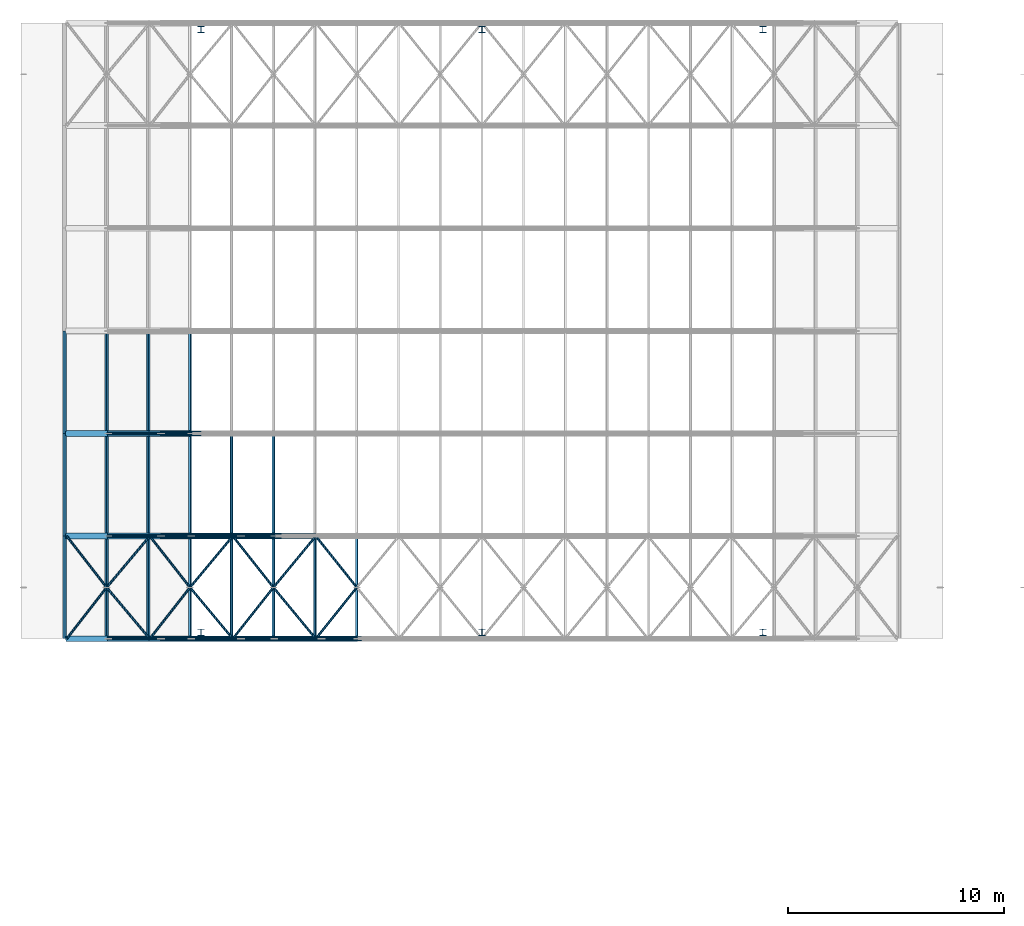
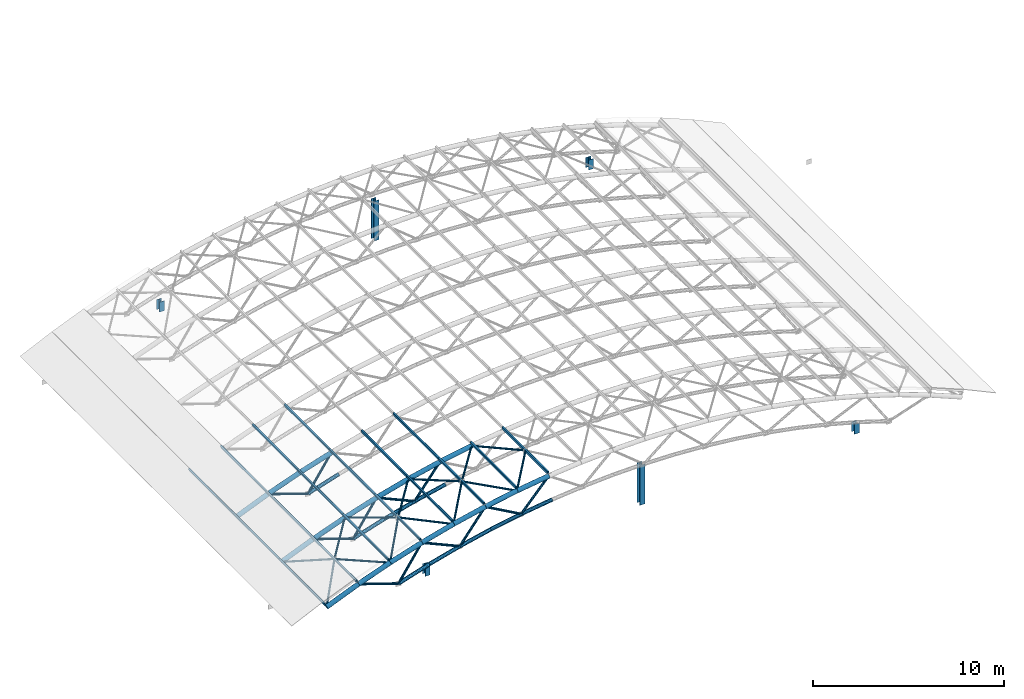
# One storey, part 1 of 22: 69 members, 6 columns.
"""IFC4 building model written with IfcOpenShell, lengths in metres."""

from ifc_helpers import new_model, si_unit, direction, frame, origin, origin_2d, place, context, subcontext, project, spatial, hollow_rectangle, hollow_circle, i_section, extrude, material, material_profile, profile_set, type_object, element, save


model = new_model("IFC4")

# Units and contexts
model_context = context("Model", 3, precision=1e-05, world=origin(), true_north=direction((0.0, 1.0)))
body_context = subcontext(model_context, "Body", "Model", "MODEL_VIEW")
ifc_project = project(units=[si_unit("LENGTHUNIT", "METRE"), si_unit("AREAUNIT", "SQUARE_METRE"), si_unit("VOLUMEUNIT", "CUBIC_METRE"), si_unit("PLANEANGLEUNIT", "RADIAN"), si_unit("MASSUNIT", "GRAM", prefix="KILO")], contexts=[model_context])

# Site, building, storey
site_placement = place(None, origin())
site = spatial("IfcSite", under=ifc_project, at=site_placement, CompositionType="ELEMENT")
building_placement = place(site_placement, origin())
building = spatial("IfcBuilding", under=site, at=building_placement, Name="Elbe Cascade School", CompositionType="ELEMENT")
storey_placement = place(building_placement, frame((0.0, 0.0, 18.89990234375)))
storey = spatial("IfcBuildingStorey", under=building, at=storey_placement, Name="R05", CompositionType="ELEMENT", Elevation=18.89990234375)

# Columns
ifc_material_1 = material(Name="Steel S355J2", Category="steel")
ifc_material_profile_1 = material_profile(ifc_material_1, i_section(OverallWidth=0.300048828125, OverallDepth=0.300048828125, WebThickness=0.010986328125, FlangeThickness=0.01904296875, FilletRadius=0.027099609375, at=origin_2d()), Name="HEB 300")
ifc_profile_set_1 = profile_set([ifc_material_profile_1], Name="Steel S355J2")
column_type = type_object("IfcColumnType", Name="Hall gable post HEB 300", PredefinedType="COLUMN", material=ifc_profile_set_1)
column_1_placement = place(storey_placement, frame((21.0, 41.300048828125, 0.0), z_axis=(0.0, 0.0, 1.0), x_axis=(1.0, 0.0, 0.0)))
element("IfcColumn", 1, at=column_1_placement, inside=storey, type_object=column_type, Name="Gable post S21", PredefinedType="COLUMN", context=body_context, shape_type="SweptSolid", body=[
    extrude(i_section(OverallWidth=0.300048828125, OverallDepth=0.300048828125, WebThickness=0.010986328125, FlangeThickness=0.01904296875, FilletRadius=0.027099609375, at=origin_2d()), origin(), (0.0, 0.0, 1.0), 0.63525390625),
])
column_2_placement = place(storey_placement, frame((34.0, 41.300048828125, 0.0), z_axis=(0.0, 0.0, 1.0), x_axis=(1.0, 0.0, 0.0)))
element("IfcColumn", 2, at=column_2_placement, inside=storey, type_object=column_type, Name="Gable post S34", PredefinedType="COLUMN", context=body_context, shape_type="SweptSolid", body=[
    extrude(i_section(OverallWidth=0.300048828125, OverallDepth=0.300048828125, WebThickness=0.010986328125, FlangeThickness=0.01904296875, FilletRadius=0.027099609375, at=origin_2d()), origin(), (0.0, 0.0, 1.0), 2.549560546875),
])
for number, where, z_axis, x_axis, name in (
    (3, (47.0, 41.300048828125, 0.0), (0.0, 0.0, 1.0), (1.0, 0.0, 0.0), "Gable post S47"),
    (4, (21.0, 69.199951171875, 0.0), (0.0, 0.0, 1.0), (1.0, 0.0, 0.0), "Gable post N21"),
):
    element("IfcColumn", number, at=place(storey_placement, frame(where, z_axis=z_axis, x_axis=x_axis)), inside=storey, type_object=column_type, Name=name, PredefinedType="COLUMN", context=body_context, shape_type="SweptSolid", body=[
        extrude(i_section(OverallWidth=0.300048828125, OverallDepth=0.300048828125, WebThickness=0.010986328125, FlangeThickness=0.01904296875, FilletRadius=0.027099609375, at=origin_2d()), origin(), (0.0, 0.0, 1.0), 0.63525390625),
    ])
column_3_placement = place(storey_placement, frame((34.0, 69.199951171875, 0.0), z_axis=(0.0, 0.0, 1.0), x_axis=(1.0, 0.0, 0.0)))
element("IfcColumn", 5, at=column_3_placement, inside=storey, type_object=column_type, Name="Gable post N34", PredefinedType="COLUMN", context=body_context, shape_type="SweptSolid", body=[
    extrude(i_section(OverallWidth=0.300048828125, OverallDepth=0.300048828125, WebThickness=0.010986328125, FlangeThickness=0.01904296875, FilletRadius=0.027099609375, at=origin_2d()), origin(), (0.0, 0.0, 1.0), 2.549560546875),
])
column_4_placement = place(storey_placement, frame((47.0, 69.199951171875, 0.0), z_axis=(0.0, 0.0, 1.0), x_axis=(1.0, 0.0, 0.0)))
element("IfcColumn", 6, at=column_4_placement, inside=storey, type_object=column_type, Name="Gable post N47", PredefinedType="COLUMN", context=body_context, shape_type="SweptSolid", body=[
    extrude(i_section(OverallWidth=0.300048828125, OverallDepth=0.300048828125, WebThickness=0.010986328125, FlangeThickness=0.01904296875, FilletRadius=0.027099609375, at=origin_2d()), origin(), (0.0, 0.0, 1.0), 0.63525390625),
])

# Members
ifc_material_2 = material(Name="Steel S355J2H", Category="steel")
ifc_material_profile_2 = material_profile(ifc_material_2, hollow_circle(Radius=0.109619140625, WallThickness=0.012451171875, at=origin_2d()), Name="CHS 219.1x12.5")
ifc_profile_set_2 = profile_set([ifc_material_profile_2], Name="Steel S355J2H")
member_type_1 = type_object("IfcMemberType", Name="Hall rib bottom chord CHS 219.1x12.5", PredefinedType="CHORD", material=ifc_profile_set_2)
member_1_placement = place(storey_placement, frame((19.142822265625, 41.0, 0.240966796875), z_axis=(0.953554243511, 0.0, 0.301221354957), x_axis=(0.0, 1.0, 0.0)))
element("IfcMember", 7, at=member_1_placement, inside=storey, type_object=member_type_1, Name="Hall rib bottom chord CHS 219.1x12.5 M3", PredefinedType="CHORD", context=body_context, shape_type="SweptSolid", body=[
    extrude(hollow_circle(Radius=0.109619140625, WallThickness=0.012451171875, at=origin_2d()), origin(), (0.0, 0.0, 1.0), 1.94775390625),
])
member_2_placement = place(storey_placement, frame((21.0, 41.0, 0.82763671875), z_axis=(0.965329694666, 0.0, 0.26103367713), x_axis=(0.0, 1.0, 0.0)))
element("IfcMember", 8, at=member_2_placement, inside=storey, type_object=member_type_1, Name="Hall rib bottom chord CHS 219.1x12.5 M3", PredefinedType="CHORD", context=body_context, shape_type="SweptSolid", body=[
    extrude(hollow_circle(Radius=0.109619140625, WallThickness=0.012451171875, at=origin_2d()), origin(), (0.0, 0.0, 1.0), 1.923828125),
])
member_3_placement = place(storey_placement, frame((22.857177734375, 41.0, 1.329833984375), z_axis=(0.975295060536, 0.0, 0.220906190259), x_axis=(0.0, 1.0, 0.0)))
element("IfcMember", 9, at=member_3_placement, inside=storey, type_object=member_type_1, Name="Hall rib bottom chord CHS 219.1x12.5 M3", PredefinedType="CHORD", context=body_context, shape_type="SweptSolid", body=[
    extrude(hollow_circle(Radius=0.109619140625, WallThickness=0.012451171875, at=origin_2d()), origin(), (0.0, 0.0, 1.0), 1.904296875),
])
member_4_placement = place(storey_placement, frame((24.71435546875, 41.0, 1.75048828125), z_axis=(0.9835518543, 0.0, 0.180625994539), x_axis=(0.0, 1.0, 0.0)))
element("IfcMember", 10, at=member_4_placement, inside=storey, type_object=member_type_1, Name="Hall rib bottom chord CHS 219.1x12.5 M3", PredefinedType="CHORD", context=body_context, shape_type="SweptSolid", body=[
    extrude(hollow_circle(Radius=0.109619140625, WallThickness=0.012451171875, at=origin_2d()), origin(), (0.0, 0.0, 1.0), 1.88818359375),
])
member_5_placement = place(storey_placement, frame((26.571533203125, 41.0, 2.091552734375), z_axis=(0.990068894629, 0.0, 0.140583014225), x_axis=(0.0, 1.0, 0.0)))
element("IfcMember", 11, at=member_5_placement, inside=storey, type_object=member_type_1, Name="Hall rib bottom chord CHS 219.1x12.5 M3", PredefinedType="CHORD", context=body_context, shape_type="SweptSolid", body=[
    extrude(hollow_circle(Radius=0.109619140625, WallThickness=0.012451171875, at=origin_2d()), origin(), (0.0, 0.0, 1.0), 1.87548828125),
])
member_6_placement = place(storey_placement, frame((19.142822265625, 45.75, 0.240966796875), z_axis=(0.953554243511, 0.0, 0.301221354957), x_axis=(0.0, 1.0, 0.0)))
element("IfcMember", 12, at=member_6_placement, inside=storey, type_object=member_type_1, Name="Hall rib bottom chord CHS 219.1x12.5 M3", PredefinedType="CHORD", context=body_context, shape_type="SweptSolid", body=[
    extrude(hollow_circle(Radius=0.109619140625, WallThickness=0.012451171875, at=origin_2d()), origin(), (0.0, 0.0, 1.0), 1.94775390625),
])
member_7_placement = place(storey_placement, frame((21.0, 45.75, 0.82763671875), z_axis=(0.965329694666, 0.0, 0.26103367713), x_axis=(0.0, 1.0, 0.0)))
element("IfcMember", 13, at=member_7_placement, inside=storey, type_object=member_type_1, Name="Hall rib bottom chord CHS 219.1x12.5 M3", PredefinedType="CHORD", context=body_context, shape_type="SweptSolid", body=[
    extrude(hollow_circle(Radius=0.109619140625, WallThickness=0.012451171875, at=origin_2d()), origin(), (0.0, 0.0, 1.0), 1.923828125),
])
member_8_placement = place(storey_placement, frame((22.857177734375, 45.75, 1.329833984375), z_axis=(0.975295060536, 0.0, 0.220906190259), x_axis=(0.0, 1.0, 0.0)))
element("IfcMember", 14, at=member_8_placement, inside=storey, type_object=member_type_1, Name="Hall rib bottom chord CHS 219.1x12.5 M3", PredefinedType="CHORD", context=body_context, shape_type="SweptSolid", body=[
    extrude(hollow_circle(Radius=0.109619140625, WallThickness=0.012451171875, at=origin_2d()), origin(), (0.0, 0.0, 1.0), 1.904296875),
])
member_9_placement = place(storey_placement, frame((19.142822265625, 50.5, 0.240966796875), z_axis=(0.953554243511, 0.0, 0.301221354957), x_axis=(0.0, 1.0, 0.0)))
element("IfcMember", 15, at=member_9_placement, inside=storey, type_object=member_type_1, Name="Hall rib bottom chord CHS 219.1x12.5 M3", PredefinedType="CHORD", context=body_context, shape_type="SweptSolid", body=[
    extrude(hollow_circle(Radius=0.109619140625, WallThickness=0.012451171875, at=origin_2d()), origin(), (0.0, 0.0, 1.0), 1.94775390625),
])
ifc_material_3 = material(Name="Steel S355J2H", Category="steel")
ifc_material_profile_3 = material_profile(ifc_material_3, hollow_circle(Radius=0.136474609375, WallThickness=0.012451171875, at=origin_2d()), Name="CHS 273x12.5")
ifc_profile_set_3 = profile_set([ifc_material_profile_3], Name="Steel S355J2H")
member_type_2 = type_object("IfcMemberType", Name="Hall rib top chord CHS 273x12.5", PredefinedType="CHORD", material=ifc_profile_set_3)
member_10_placement = place(storey_placement, frame((14.7861328125, 41.0, 0.26513671875), z_axis=(0.924371303733, 0.0, 0.381494027259), x_axis=(0.0, 1.0, 0.0)))
element("IfcMember", 16, at=member_10_placement, inside=storey, type_object=member_type_2, Name="Hall rib top chord CHS 273x12.5 M2", PredefinedType="CHORD", context=body_context, shape_type="SweptSolid", body=[
    extrude(hollow_circle(Radius=0.136474609375, WallThickness=0.012451171875, at=origin_2d()), origin(), (0.0, 0.0, 1.0), 2.07861328125),
])
member_11_placement = place(storey_placement, frame((16.70751953125, 41.0, 1.05810546875), z_axis=(0.939901472249, 0.0, 0.341445782612), x_axis=(0.0, 1.0, 0.0)))
element("IfcMember", 17, at=member_11_placement, inside=storey, type_object=member_type_2, Name="Hall rib top chord CHS 273x12.5 M2", PredefinedType="CHORD", context=body_context, shape_type="SweptSolid", body=[
    extrude(hollow_circle(Radius=0.136474609375, WallThickness=0.012451171875, at=origin_2d()), origin(), (0.0, 0.0, 1.0), 2.044189453125),
])
member_12_placement = place(storey_placement, frame((18.62890625, 41.0, 1.756103515625), z_axis=(0.953557025061, 0.0, 0.301212549467), x_axis=(0.0, 1.0, 0.0)))
element("IfcMember", 18, at=member_12_placement, inside=storey, type_object=member_type_2, Name="Hall rib top chord CHS 273x12.5 M2", PredefinedType="CHORD", context=body_context, shape_type="SweptSolid", body=[
    extrude(hollow_circle(Radius=0.136474609375, WallThickness=0.012451171875, at=origin_2d()), origin(), (0.0, 0.0, 1.0), 2.014892578125),
])
member_13_placement = place(storey_placement, frame((20.55029296875, 41.0, 2.363037109375), z_axis=(0.965333327016, 0.0, 0.26102024395), x_axis=(0.0, 1.0, 0.0)))
element("IfcMember", 19, at=member_13_placement, inside=storey, type_object=member_type_2, Name="Hall rib top chord CHS 273x12.5 M2", PredefinedType="CHORD", context=body_context, shape_type="SweptSolid", body=[
    extrude(hollow_circle(Radius=0.136474609375, WallThickness=0.012451171875, at=origin_2d()), origin(), (0.0, 0.0, 1.0), 1.990478515625),
])
member_14_placement = place(storey_placement, frame((22.4716796875, 41.0, 2.882568359375), z_axis=(0.975283578549, 0.0, 0.220956876817), x_axis=(0.0, 1.0, 0.0)))
element("IfcMember", 20, at=member_14_placement, inside=storey, type_object=member_type_2, Name="Hall rib top chord CHS 273x12.5 M2", PredefinedType="CHORD", context=body_context, shape_type="SweptSolid", body=[
    extrude(hollow_circle(Radius=0.136474609375, WallThickness=0.012451171875, at=origin_2d()), origin(), (0.0, 0.0, 1.0), 1.969970703125),
])
member_15_placement = place(storey_placement, frame((24.39306640625, 41.0, 3.31787109375), z_axis=(0.983536288489, 0.0, 0.180710733565), x_axis=(0.0, 1.0, 0.0)))
element("IfcMember", 21, at=member_15_placement, inside=storey, type_object=member_type_2, Name="Hall rib top chord CHS 273x12.5 M2", PredefinedType="CHORD", context=body_context, shape_type="SweptSolid", body=[
    extrude(hollow_circle(Radius=0.136474609375, WallThickness=0.012451171875, at=origin_2d()), origin(), (0.0, 0.0, 1.0), 1.95361328125),
])
member_16_placement = place(storey_placement, frame((26.314453125, 41.0, 3.6708984375), z_axis=(0.990077406218, 0.0, 0.140523057528), x_axis=(0.0, 1.0, 0.0)))
element("IfcMember", 22, at=member_16_placement, inside=storey, type_object=member_type_2, Name="Hall rib top chord CHS 273x12.5 M2", PredefinedType="CHORD", context=body_context, shape_type="SweptSolid", body=[
    extrude(hollow_circle(Radius=0.136474609375, WallThickness=0.012451171875, at=origin_2d()), origin(), (0.0, 0.0, 1.0), 1.940673828125),
])
member_17_placement = place(storey_placement, frame((14.7861328125, 45.75, 0.26513671875), z_axis=(0.924371303733, 0.0, 0.381494027259), x_axis=(0.0, 1.0, 0.0)))
element("IfcMember", 23, at=member_17_placement, inside=storey, type_object=member_type_2, Name="Hall rib top chord CHS 273x12.5 M2", PredefinedType="CHORD", context=body_context, shape_type="SweptSolid", body=[
    extrude(hollow_circle(Radius=0.136474609375, WallThickness=0.012451171875, at=origin_2d()), origin(), (0.0, 0.0, 1.0), 2.07861328125),
])
member_18_placement = place(storey_placement, frame((16.70751953125, 45.75, 1.05810546875), z_axis=(0.939901472249, 0.0, 0.341445782612), x_axis=(0.0, 1.0, 0.0)))
element("IfcMember", 24, at=member_18_placement, inside=storey, type_object=member_type_2, Name="Hall rib top chord CHS 273x12.5 M2", PredefinedType="CHORD", context=body_context, shape_type="SweptSolid", body=[
    extrude(hollow_circle(Radius=0.136474609375, WallThickness=0.012451171875, at=origin_2d()), origin(), (0.0, 0.0, 1.0), 2.044189453125),
])
member_19_placement = place(storey_placement, frame((18.62890625, 45.75, 1.756103515625), z_axis=(0.953557025061, 0.0, 0.301212549467), x_axis=(0.0, 1.0, 0.0)))
element("IfcMember", 25, at=member_19_placement, inside=storey, type_object=member_type_2, Name="Hall rib top chord CHS 273x12.5 M2", PredefinedType="CHORD", context=body_context, shape_type="SweptSolid", body=[
    extrude(hollow_circle(Radius=0.136474609375, WallThickness=0.012451171875, at=origin_2d()), origin(), (0.0, 0.0, 1.0), 2.014892578125),
])
member_20_placement = place(storey_placement, frame((20.55029296875, 45.75, 2.363037109375), z_axis=(0.965333327016, 0.0, 0.26102024395), x_axis=(0.0, 1.0, 0.0)))
element("IfcMember", 26, at=member_20_placement, inside=storey, type_object=member_type_2, Name="Hall rib top chord CHS 273x12.5 M2", PredefinedType="CHORD", context=body_context, shape_type="SweptSolid", body=[
    extrude(hollow_circle(Radius=0.136474609375, WallThickness=0.012451171875, at=origin_2d()), origin(), (0.0, 0.0, 1.0), 1.990478515625),
])
member_21_placement = place(storey_placement, frame((22.4716796875, 45.75, 2.882568359375), z_axis=(0.975283578549, 0.0, 0.220956876817), x_axis=(0.0, 1.0, 0.0)))
element("IfcMember", 27, at=member_21_placement, inside=storey, type_object=member_type_2, Name="Hall rib top chord CHS 273x12.5 M2", PredefinedType="CHORD", context=body_context, shape_type="SweptSolid", body=[
    extrude(hollow_circle(Radius=0.136474609375, WallThickness=0.012451171875, at=origin_2d()), origin(), (0.0, 0.0, 1.0), 1.969970703125),
])
member_22_placement = place(storey_placement, frame((24.39306640625, 45.75, 3.31787109375), z_axis=(0.983536288489, 0.0, 0.180710733565), x_axis=(0.0, 1.0, 0.0)))
element("IfcMember", 28, at=member_22_placement, inside=storey, type_object=member_type_2, Name="Hall rib top chord CHS 273x12.5 M2", PredefinedType="CHORD", context=body_context, shape_type="SweptSolid", body=[
    extrude(hollow_circle(Radius=0.136474609375, WallThickness=0.012451171875, at=origin_2d()), origin(), (0.0, 0.0, 1.0), 1.95361328125),
])
member_23_placement = place(storey_placement, frame((14.7861328125, 50.5, 0.26513671875), z_axis=(0.924371303733, 0.0, 0.381494027259), x_axis=(0.0, 1.0, 0.0)))
element("IfcMember", 29, at=member_23_placement, inside=storey, type_object=member_type_2, Name="Hall rib top chord CHS 273x12.5 M2", PredefinedType="CHORD", context=body_context, shape_type="SweptSolid", body=[
    extrude(hollow_circle(Radius=0.136474609375, WallThickness=0.012451171875, at=origin_2d()), origin(), (0.0, 0.0, 1.0), 2.07861328125),
])
member_24_placement = place(storey_placement, frame((16.70751953125, 50.5, 1.05810546875), z_axis=(0.939901472249, 0.0, 0.341445782612), x_axis=(0.0, 1.0, 0.0)))
element("IfcMember", 30, at=member_24_placement, inside=storey, type_object=member_type_2, Name="Hall rib top chord CHS 273x12.5 M2", PredefinedType="CHORD", context=body_context, shape_type="SweptSolid", body=[
    extrude(hollow_circle(Radius=0.136474609375, WallThickness=0.012451171875, at=origin_2d()), origin(), (0.0, 0.0, 1.0), 2.044189453125),
])
member_25_placement = place(storey_placement, frame((18.62890625, 50.5, 1.756103515625), z_axis=(0.953557025061, 0.0, 0.301212549467), x_axis=(0.0, 1.0, 0.0)))
element("IfcMember", 31, at=member_25_placement, inside=storey, type_object=member_type_2, Name="Hall rib top chord CHS 273x12.5 M2", PredefinedType="CHORD", context=body_context, shape_type="SweptSolid", body=[
    extrude(hollow_circle(Radius=0.136474609375, WallThickness=0.012451171875, at=origin_2d()), origin(), (0.0, 0.0, 1.0), 2.014892578125),
])
ifc_material_4 = material(Name="Steel S355J2H", Category="steel")
ifc_material_profile_4 = material_profile(ifc_material_4, hollow_circle(Radius=0.06982421875, WallThickness=0.008056640625, at=origin_2d()), Name="CHS 139.7x8")
ifc_profile_set_4 = profile_set([ifc_material_profile_4], Name="Steel S355J2H")
member_type_3 = type_object("IfcMemberType", Name="Hall rib web CHS 139.7x8", PredefinedType="BRACE", material=ifc_profile_set_4)
member_26_placement = place(storey_placement, frame((16.70751953125, 41.0, 1.05810546875), z_axis=(0.948054147637, 0.0, -0.318108995704), x_axis=(0.0, 1.0, 0.0)))
element("IfcMember", 32, at=member_26_placement, inside=storey, type_object=member_type_3, Name="Hall rib web CHS 139.7x8 M4", PredefinedType="BRACE", context=body_context, shape_type="SweptSolid", body=[
    extrude(hollow_circle(Radius=0.06982421875, WallThickness=0.008056640625, at=origin_2d()), origin(), (0.0, 0.0, 1.0), 2.56884765625),
])
member_27_placement = place(storey_placement, frame((19.142822265625, 41.0, 0.240966796875), z_axis=(0.552729481787, 0.0, 0.833360738194), x_axis=(0.0, 1.0, 0.0)))
element("IfcMember", 33, at=member_27_placement, inside=storey, type_object=member_type_3, Name="Hall rib web CHS 139.7x8 M4", PredefinedType="BRACE", context=body_context, shape_type="SweptSolid", body=[
    extrude(hollow_circle(Radius=0.06982421875, WallThickness=0.008056640625, at=origin_2d()), origin(), (0.0, 0.0, 1.0), 2.54638671875),
])
member_28_placement = place(storey_placement, frame((20.55029296875, 41.0, 2.363037109375), z_axis=(0.91264478228, 0.0, -0.408753594942), x_axis=(0.0, 1.0, 0.0)))
element("IfcMember", 34, at=member_28_placement, inside=storey, type_object=member_type_3, Name="Hall rib web CHS 139.7x8 M4", PredefinedType="BRACE", context=body_context, shape_type="SweptSolid", body=[
    extrude(hollow_circle(Radius=0.06982421875, WallThickness=0.008056640625, at=origin_2d()), origin(), (0.0, 0.0, 1.0), 2.527587890625),
])
member_29_placement = place(storey_placement, frame((22.857177734375, 41.0, 1.329833984375), z_axis=(0.611367288824, 0.0, 0.791346977094), x_axis=(0.0, 1.0, 0.0)))
element("IfcMember", 35, at=member_29_placement, inside=storey, type_object=member_type_3, Name="Hall rib web CHS 139.7x8 M4", PredefinedType="BRACE", context=body_context, shape_type="SweptSolid", body=[
    extrude(hollow_circle(Radius=0.06982421875, WallThickness=0.008056640625, at=origin_2d()), origin(), (0.0, 0.0, 1.0), 2.51220703125),
])
member_30_placement = place(storey_placement, frame((24.39306640625, 41.0, 3.31787109375), z_axis=(0.871416395959, 0.0, -0.49054404986), x_axis=(0.0, 1.0, 0.0)))
element("IfcMember", 36, at=member_30_placement, inside=storey, type_object=member_type_3, Name="Hall rib web CHS 139.7x8 M4", PredefinedType="BRACE", context=body_context, shape_type="SweptSolid", body=[
    extrude(hollow_circle(Radius=0.06982421875, WallThickness=0.008056640625, at=origin_2d()), origin(), (0.0, 0.0, 1.0), 2.5),
])
member_31_placement = place(storey_placement, frame((26.571533203125, 41.0, 2.091552734375), z_axis=(0.668401163046, 0.0, 0.743800971523), x_axis=(0.0, 1.0, 0.0)))
element("IfcMember", 37, at=member_31_placement, inside=storey, type_object=member_type_3, Name="Hall rib web CHS 139.7x8 M4", PredefinedType="BRACE", context=body_context, shape_type="SweptSolid", body=[
    extrude(hollow_circle(Radius=0.06982421875, WallThickness=0.008056640625, at=origin_2d()), origin(), (0.0, 0.0, 1.0), 2.489990234375),
])
member_32_placement = place(storey_placement, frame((16.70751953125, 45.75, 1.05810546875), z_axis=(0.948054147637, 0.0, -0.318108995704), x_axis=(0.0, 1.0, 0.0)))
element("IfcMember", 38, at=member_32_placement, inside=storey, type_object=member_type_3, Name="Hall rib web CHS 139.7x8 M4", PredefinedType="BRACE", context=body_context, shape_type="SweptSolid", body=[
    extrude(hollow_circle(Radius=0.06982421875, WallThickness=0.008056640625, at=origin_2d()), origin(), (0.0, 0.0, 1.0), 2.56884765625),
])
member_33_placement = place(storey_placement, frame((19.142822265625, 45.75, 0.240966796875), z_axis=(0.552729481787, 0.0, 0.833360738194), x_axis=(0.0, 1.0, 0.0)))
element("IfcMember", 39, at=member_33_placement, inside=storey, type_object=member_type_3, Name="Hall rib web CHS 139.7x8 M4", PredefinedType="BRACE", context=body_context, shape_type="SweptSolid", body=[
    extrude(hollow_circle(Radius=0.06982421875, WallThickness=0.008056640625, at=origin_2d()), origin(), (0.0, 0.0, 1.0), 2.54638671875),
])
member_34_placement = place(storey_placement, frame((20.55029296875, 45.75, 2.363037109375), z_axis=(0.91264478228, 0.0, -0.408753594942), x_axis=(0.0, 1.0, 0.0)))
element("IfcMember", 40, at=member_34_placement, inside=storey, type_object=member_type_3, Name="Hall rib web CHS 139.7x8 M4", PredefinedType="BRACE", context=body_context, shape_type="SweptSolid", body=[
    extrude(hollow_circle(Radius=0.06982421875, WallThickness=0.008056640625, at=origin_2d()), origin(), (0.0, 0.0, 1.0), 2.527587890625),
])
member_35_placement = place(storey_placement, frame((22.857177734375, 45.75, 1.329833984375), z_axis=(0.611367288824, 0.0, 0.791346977094), x_axis=(0.0, 1.0, 0.0)))
element("IfcMember", 41, at=member_35_placement, inside=storey, type_object=member_type_3, Name="Hall rib web CHS 139.7x8 M4", PredefinedType="BRACE", context=body_context, shape_type="SweptSolid", body=[
    extrude(hollow_circle(Radius=0.06982421875, WallThickness=0.008056640625, at=origin_2d()), origin(), (0.0, 0.0, 1.0), 2.51220703125),
])
member_36_placement = place(storey_placement, frame((16.70751953125, 50.5, 1.05810546875), z_axis=(0.948054147637, 0.0, -0.318108995704), x_axis=(0.0, 1.0, 0.0)))
element("IfcMember", 42, at=member_36_placement, inside=storey, type_object=member_type_3, Name="Hall rib web CHS 139.7x8 M4", PredefinedType="BRACE", context=body_context, shape_type="SweptSolid", body=[
    extrude(hollow_circle(Radius=0.06982421875, WallThickness=0.008056640625, at=origin_2d()), origin(), (0.0, 0.0, 1.0), 2.56884765625),
])
member_37_placement = place(storey_placement, frame((19.142822265625, 50.5, 0.240966796875), z_axis=(0.552729481787, 0.0, 0.833360738194), x_axis=(0.0, 1.0, 0.0)))
element("IfcMember", 43, at=member_37_placement, inside=storey, type_object=member_type_3, Name="Hall rib web CHS 139.7x8 M4", PredefinedType="BRACE", context=body_context, shape_type="SweptSolid", body=[
    extrude(hollow_circle(Radius=0.06982421875, WallThickness=0.008056640625, at=origin_2d()), origin(), (0.0, 0.0, 1.0), 2.54638671875),
])
ifc_material_5 = material(Name="Steel S355J2H", Category="steel")
ifc_material_profile_5 = material_profile(ifc_material_5, hollow_circle(Radius=0.05712890625, WallThickness=0.00634765625, at=origin_2d()), Name="CHS 114.3x6.3")
ifc_profile_set_5 = profile_set([ifc_material_profile_5], Name="Steel S355J2H")
member_type_4 = type_object("IfcMemberType", Name="Hall roof bracing CHS 114.3x6.3", PredefinedType="BRACE", material=ifc_profile_set_5)
member_38_placement = place(storey_placement, frame((16.6328125, 43.375, 1.250732421875), z_axis=(-0.583322813116, -0.750206812003, -0.311326572785), x_axis=(0.78943960306, -0.613828243991, 0.0)))
element("IfcMember", 44, at=member_38_placement, inside=storey, type_object=member_type_4, Name="Hall roof bracing CHS 114.3x6.3 M9", PredefinedType="BRACE", context=body_context, shape_type="SweptSolid", body=[
    extrude(hollow_circle(Radius=0.05712890625, WallThickness=0.00634765625, at=origin_2d()), origin(), (0.0, 0.0, 1.0), 3.165771484375),
])
member_39_placement = place(storey_placement, frame((16.6328125, 43.375, 1.250732421875), z_axis=(0.635028676085, 0.75557227996, 0.160776585066), x_axis=(-0.765531209015, 0.64339876284, 0.0)))
element("IfcMember", 45, at=member_39_placement, inside=storey, type_object=member_type_4, Name="Hall roof bracing CHS 114.3x6.3 M9", PredefinedType="BRACE", context=body_context, shape_type="SweptSolid", body=[
    extrude(hollow_circle(Radius=0.05712890625, WallThickness=0.00634765625, at=origin_2d()), origin(), (0.0, 0.0, 1.0), 3.143310546875),
])
member_40_placement = place(storey_placement, frame((16.6328125, 43.375, 1.250732421875), z_axis=(-0.583322813116, 0.750206812003, -0.311326572785), x_axis=(-0.78943960306, -0.613828243991, 0.0)))
element("IfcMember", 46, at=member_40_placement, inside=storey, type_object=member_type_4, Name="Hall roof bracing CHS 114.3x6.3 M9", PredefinedType="BRACE", context=body_context, shape_type="SweptSolid", body=[
    extrude(hollow_circle(Radius=0.05712890625, WallThickness=0.00634765625, at=origin_2d()), origin(), (0.0, 0.0, 1.0), 3.165771484375),
])
member_41_placement = place(storey_placement, frame((16.6328125, 43.375, 1.250732421875), z_axis=(0.635028676085, -0.75557227996, 0.160776585066), x_axis=(0.765531209015, 0.64339876284, 0.0)))
element("IfcMember", 47, at=member_41_placement, inside=storey, type_object=member_type_4, Name="Hall roof bracing CHS 114.3x6.3 M9", PredefinedType="BRACE", context=body_context, shape_type="SweptSolid", body=[
    extrude(hollow_circle(Radius=0.05712890625, WallThickness=0.00634765625, at=origin_2d()), origin(), (0.0, 0.0, 1.0), 3.143310546875),
])
member_42_placement = place(storey_placement, frame((20.4921875, 43.375, 2.561279296875), z_axis=(-0.596398878053, -0.760189764898, -0.257720584358), x_axis=(0.786767161878, -0.617249895092, 0.0)))
element("IfcMember", 48, at=member_42_placement, inside=storey, type_object=member_type_4, Name="Hall roof bracing CHS 114.3x6.3 M9", PredefinedType="BRACE", context=body_context, shape_type="SweptSolid", body=[
    extrude(hollow_circle(Radius=0.05712890625, WallThickness=0.00634765625, at=origin_2d()), origin(), (0.0, 0.0, 1.0), 3.124267578125),
])
member_43_placement = place(storey_placement, frame((20.4921875, 43.375, 2.561279296875), z_axis=(0.636817309596, 0.764055104557, 0.103361072944), x_axis=(-0.768169496893, 0.6402465338, 0.0)))
element("IfcMember", 49, at=member_43_placement, inside=storey, type_object=member_type_4, Name="Hall roof bracing CHS 114.3x6.3 M9", PredefinedType="BRACE", context=body_context, shape_type="SweptSolid", body=[
    extrude(hollow_circle(Radius=0.05712890625, WallThickness=0.00634765625, at=origin_2d()), origin(), (0.0, 0.0, 1.0), 3.1083984375),
])
member_44_placement = place(storey_placement, frame((20.4921875, 43.375, 2.561279296875), z_axis=(-0.596398878053, 0.760189764898, -0.257720584358), x_axis=(-0.786767161878, -0.617249895092, 0.0)))
element("IfcMember", 50, at=member_44_placement, inside=storey, type_object=member_type_4, Name="Hall roof bracing CHS 114.3x6.3 M9", PredefinedType="BRACE", context=body_context, shape_type="SweptSolid", body=[
    extrude(hollow_circle(Radius=0.05712890625, WallThickness=0.00634765625, at=origin_2d()), origin(), (0.0, 0.0, 1.0), 3.124267578125),
])
member_45_placement = place(storey_placement, frame((20.4921875, 43.375, 2.561279296875), z_axis=(0.636817309596, -0.764055104557, 0.103361072944), x_axis=(0.768169496893, 0.6402465338, 0.0)))
element("IfcMember", 51, at=member_45_placement, inside=storey, type_object=member_type_4, Name="Hall roof bracing CHS 114.3x6.3 M9", PredefinedType="BRACE", context=body_context, shape_type="SweptSolid", body=[
    extrude(hollow_circle(Radius=0.05712890625, WallThickness=0.00634765625, at=origin_2d()), origin(), (0.0, 0.0, 1.0), 3.1083984375),
])
member_46_placement = place(storey_placement, frame((24.3515625, 43.375, 3.52001953125), z_axis=(-0.607333140787, -0.767290492672, -0.20594114683), x_axis=(0.784098122781, -0.620636877612, 0.0)))
element("IfcMember", 52, at=member_46_placement, inside=storey, type_object=member_type_4, Name="Hall roof bracing CHS 114.3x6.3 M9", PredefinedType="BRACE", context=body_context, shape_type="SweptSolid", body=[
    extrude(hollow_circle(Radius=0.05712890625, WallThickness=0.00634765625, at=origin_2d()), origin(), (0.0, 0.0, 1.0), 3.09521484375),
])
member_47_placement = place(storey_placement, frame((24.3515625, 43.375, 3.52001953125), z_axis=(0.636299197607, 0.769890372428, 0.048909565189), x_axis=(-0.770812872745, 0.637061625912, 0.0)))
element("IfcMember", 53, at=member_47_placement, inside=storey, type_object=member_type_4, Name="Hall roof bracing CHS 114.3x6.3 M9", PredefinedType="BRACE", context=body_context, shape_type="SweptSolid", body=[
    extrude(hollow_circle(Radius=0.05712890625, WallThickness=0.00634765625, at=origin_2d()), origin(), (0.0, 0.0, 1.0), 3.0849609375),
])
member_48_placement = place(storey_placement, frame((24.3515625, 43.375, 3.52001953125), z_axis=(-0.607333140787, 0.767290492672, -0.20594114683), x_axis=(-0.784098122781, -0.620636877612, 0.0)))
element("IfcMember", 54, at=member_48_placement, inside=storey, type_object=member_type_4, Name="Hall roof bracing CHS 114.3x6.3 M9", PredefinedType="BRACE", context=body_context, shape_type="SweptSolid", body=[
    extrude(hollow_circle(Radius=0.05712890625, WallThickness=0.00634765625, at=origin_2d()), origin(), (0.0, 0.0, 1.0), 3.09521484375),
])
member_49_placement = place(storey_placement, frame((24.3515625, 43.375, 3.52001953125), z_axis=(0.636299197607, -0.769890372428, 0.048909565189), x_axis=(0.770812872745, 0.637061625912, 0.0)))
element("IfcMember", 55, at=member_49_placement, inside=storey, type_object=member_type_4, Name="Hall roof bracing CHS 114.3x6.3 M9", PredefinedType="BRACE", context=body_context, shape_type="SweptSolid", body=[
    extrude(hollow_circle(Radius=0.05712890625, WallThickness=0.00634765625, at=origin_2d()), origin(), (0.0, 0.0, 1.0), 3.0849609375),
])
for number, where, z_axis, x_axis, name in (
    (56, (28.2109375, 43.375, 4.148681640625), (-0.616419306396, -0.77195249905, -0.155295131645), (0.781432747539, -0.623989471925, 0.0), "Hall roof bracing CHS 114.3x6.3 M9"),
    (57, (28.2109375, 43.375, 4.148681640625), (-0.616419306396, 0.77195249905, -0.155295131645), (-0.781432747539, -0.623989471925, 0.0), "Hall roof bracing CHS 114.3x6.3 M9"),
):
    element("IfcMember", number, at=place(storey_placement, frame(where, z_axis=z_axis, x_axis=x_axis)), inside=storey, type_object=member_type_4, Name=name, PredefinedType="BRACE", context=body_context, shape_type="SweptSolid", body=[
        extrude(hollow_circle(Radius=0.05712890625, WallThickness=0.00634765625, at=origin_2d()), origin(), (0.0, 0.0, 1.0), 3.07666015625),
    ])
ifc_material_6 = material(Name="Steel S355J2H", Category="steel")
ifc_material_profile_6 = material_profile(ifc_material_6, hollow_rectangle(XDim=0.10009765625, YDim=0.199951171875, WallThickness=0.008056640625, InnerFilletRadius=0.008056640625, OuterFilletRadius=0.011962890625, at=origin_2d()), Name="RHS 200x100x8")
ifc_profile_set_6 = profile_set([ifc_material_profile_6], Name="Steel S355J2H")
member_type_5 = type_object("IfcMemberType", Name="Hall roof purlin RHS 200x100x8", PredefinedType="PURLIN", material=ifc_profile_set_6)
for number, where, z_axis, x_axis, name in (
    (58, (14.703125, 41.0, 0.4541015625), (0.0, 1.0, 0.0), (-0.915839556683, 0.0, -0.401544401549), "Hall roof purlin RHS 200x100x8 M8"),
    (59, (14.703125, 45.75, 0.4541015625), (0.0, 1.0, 0.0), (-0.915839556683, 0.0, -0.401544401549), "Hall roof purlin RHS 200x100x8 M8"),
    (60, (14.703125, 50.5, 0.4541015625), (0.0, 1.0, 0.0), (-0.915839556683, 0.0, -0.401544401549), "Hall roof purlin RHS 200x100x8 M8"),
    (61, (16.6328125, 41.0, 1.250732421875), (0.0, 1.0, 0.0), (-0.932414765977, 0.0, -0.361389961383), "Hall roof purlin RHS 200x100x8 M8"),
    (62, (16.6328125, 45.75, 1.250732421875), (0.0, 1.0, 0.0), (-0.932414765977, 0.0, -0.361389961383), "Hall roof purlin RHS 200x100x8 M8"),
    (63, (16.6328125, 50.5, 1.250732421875), (0.0, 1.0, 0.0), (-0.932414765977, 0.0, -0.361389961383), "Hall roof purlin RHS 200x100x8 M8"),
    (64, (18.5625, 41.0, 1.95166015625), (0.0, 1.0, 0.0), (-0.946999334689, 0.0, -0.321235521227), "Hall roof purlin RHS 200x100x8 M8"),
    (65, (18.5625, 45.75, 1.95166015625), (0.0, 1.0, 0.0), (-0.946999334689, 0.0, -0.321235521227), "Hall roof purlin RHS 200x100x8 M8"),
    (66, (18.5625, 50.5, 1.95166015625), (0.0, 1.0, 0.0), (-0.946999334689, 0.0, -0.321235521227), "Hall roof purlin RHS 200x100x8 M8"),
    (67, (20.4921875, 41.0, 2.561279296875), (0.0, 1.0, 0.0), (-0.959684023967, 0.0, -0.281081081082), "Hall roof purlin RHS 200x100x8 M8"),
    (68, (20.4921875, 45.75, 2.561279296875), (0.0, 1.0, 0.0), (-0.959684023967, 0.0, -0.281081081082), "Hall roof purlin RHS 200x100x8 M8"),
    (69, (20.4921875, 50.5, 2.561279296875), (0.0, 1.0, 0.0), (-0.959684023967, 0.0, -0.281081081082), "Hall roof purlin RHS 200x100x8 M8"),
    (70, (22.421875, 41.0, 3.0830078125), (0.0, 1.0, 0.0), (-0.970543329116, 0.0, -0.240926640925), "Hall roof purlin RHS 200x100x8 M8"),
    (71, (22.421875, 45.75, 3.0830078125), (0.0, 1.0, 0.0), (-0.970543329116, 0.0, -0.240926640925), "Hall roof purlin RHS 200x100x8 M8"),
    (72, (24.3515625, 41.0, 3.52001953125), (0.0, 1.0, 0.0), (-0.979637955265, 0.0, -0.200772200777), "Hall roof purlin RHS 200x100x8 M8"),
    (73, (24.3515625, 45.75, 3.52001953125), (0.0, 1.0, 0.0), (-0.979637955265, 0.0, -0.200772200777), "Hall roof purlin RHS 200x100x8 M8"),
    (74, (26.28125, 41.0, 3.874755859375), (0.0, 1.0, 0.0), (-0.987016684243, 0.0, -0.160617760615), "Hall roof purlin RHS 200x100x8 M8"),
    (75, (28.2109375, 41.0, 4.148681640625), (0.0, 1.0, 0.0), (-0.99271777884, 0.0, -0.120463320456), "Hall roof purlin RHS 200x100x8 M8"),
):
    element("IfcMember", number, at=place(storey_placement, frame(where, z_axis=z_axis, x_axis=x_axis)), inside=storey, type_object=member_type_5, Name=name, PredefinedType="PURLIN", context=body_context, shape_type="SweptSolid", body=[
        extrude(hollow_rectangle(XDim=0.10009765625, YDim=0.199951171875, WallThickness=0.008056640625, InnerFilletRadius=0.008056640625, OuterFilletRadius=0.011962890625, at=origin_2d()), origin(), (0.0, 0.0, 1.0), 4.75),
    ])

save(model, "model.ifc")
